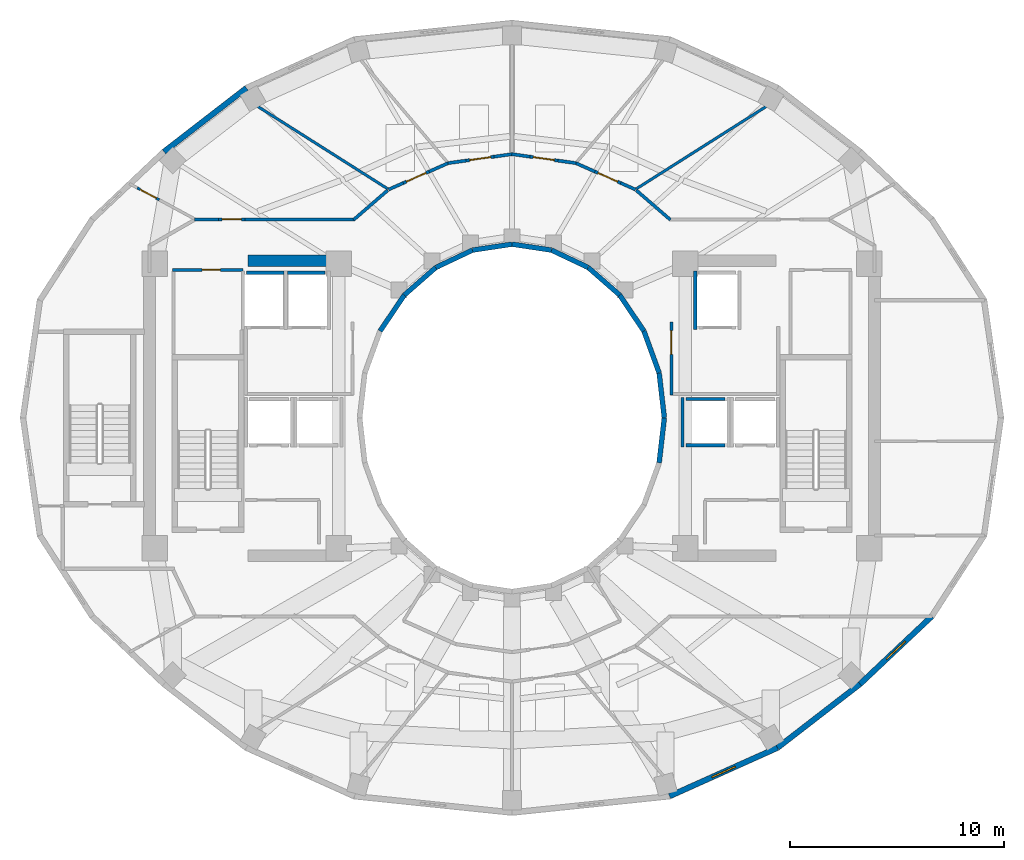
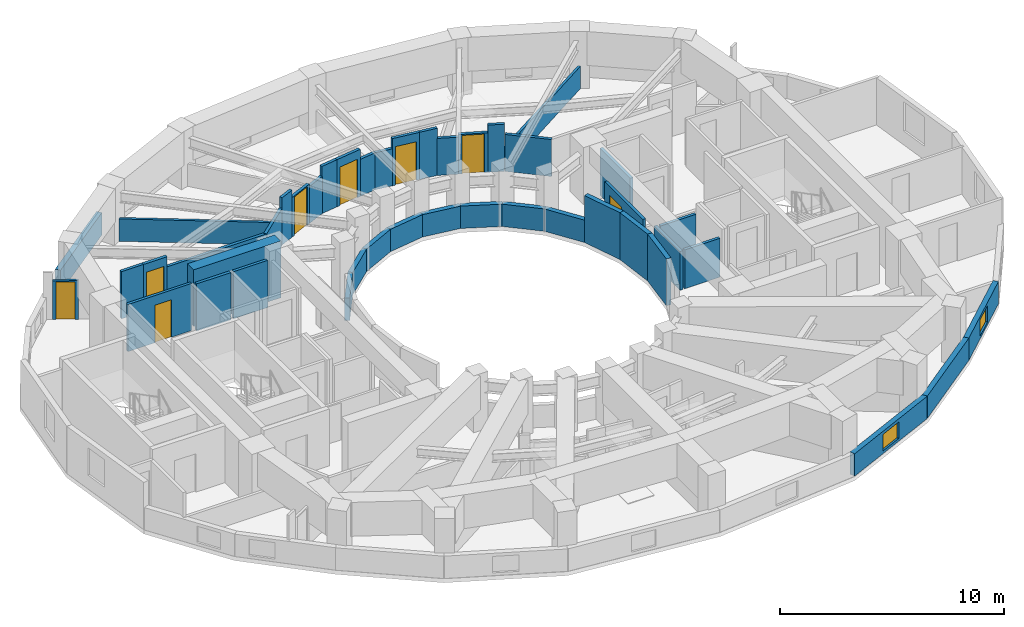
# One storey, part 5 of 9: 44 walls, 8 doors, 2 windows, 10 openings.
"""IFC4 building model written with IfcOpenShell, lengths in metres."""

from ifc_helpers import new_model, si_unit, direction, frame, frame_2d, origin, place, context, subcontext, project, spatial, rectangle, extrude, material, layer, layer_set, type_object, element, fill, save


model = new_model("IFC4")

# Units and contexts
model_context = context("Model", 3, precision=1e-05, world=origin(), true_north=direction((0.0, 1.0)))
body_context = subcontext(model_context, "Body", "Model", "MODEL_VIEW")
ifc_project = project(units=[si_unit("LENGTHUNIT", "METRE"), si_unit("AREAUNIT", "SQUARE_METRE"), si_unit("VOLUMEUNIT", "CUBIC_METRE"), si_unit("PLANEANGLEUNIT", "RADIAN"), si_unit("MASSUNIT", "GRAM", prefix="KILO")], contexts=[model_context])

# Site, building, storey
site_placement = place(None, origin())
site = spatial("IfcSite", under=ifc_project, at=site_placement, CompositionType="ELEMENT")
building_placement = place(site_placement, origin())
building = spatial("IfcBuilding", under=site, at=building_placement, Name="Solvane Sanctuary Tower", CompositionType="ELEMENT")
storey_placement = place(building_placement, frame((0.0, 0.0, 187.0)))
storey = spatial("IfcBuildingStorey", under=building, at=storey_placement, Name="L57", CompositionType="ELEMENT", Elevation=187.0)

# Wall
ifc_material_1 = material(Name="Concrete C50/60", Category="concrete")
ifc_layer_1 = layer(ifc_material_1, 0.550048828125, Name="Concrete C50/60")
ifc_layer_set_1 = layer_set([ifc_layer_1], Name="Concrete C50/60")
wall_type_1 = type_object("IfcWallType", Name="Wall W-CORE-550", PredefinedType="SHEAR", material=ifc_layer_set_1)
wall_1_placement = place(storey_placement, frame((19.64990234375, 30.35009765625, 0.0), z_axis=(0.0, 0.0, 1.0), x_axis=(1.0, 0.0, 0.0)))
element("IfcWall", 1, at=wall_1_placement, inside=storey, type_object=wall_type_1, Name="L57 Core Shear Wall WC-N", PredefinedType="SHEAR", context=body_context, shape_type="SweptSolid", body=[
    extrude(rectangle(XDim=4.5, YDim=0.550048828125, at=frame_2d((2.25, 0.0))), origin(), (0.0, 0.0, 1.0), 3.10009765625),
])

# Wall, opening, door
ifc_material_2 = material(Name="Acoustic Gypsum Partition Board")
ifc_layer_2 = layer(ifc_material_2, 0.14990234375, Name="Acoustic Gypsum Partition Board")
ifc_layer_set_2 = layer_set([ifc_layer_2], Name="Acoustic Gypsum Partition Board")
wall_type_2 = type_object("IfcWallType", Name="Wall W-CORR-150", PredefinedType="PARTITIONING", material=ifc_layer_set_2)
wall_2_placement = place(storey_placement, frame((39.449951171875, 24.080078125, 0.0), z_axis=(0.0, 0.0, 1.0), x_axis=(0.0, 1.0, 0.0)))
wall_2 = element("IfcWall", 2, at=wall_2_placement, inside=storey, type_object=wall_type_2, Name="L57 East Firefighting Lobby West Wall", PredefinedType="PARTITIONING", context=body_context, shape_type="SweptSolid", body=[
    extrude(rectangle(XDim=3.39990234375, YDim=0.14990234375, at=frame_2d((1.699951171875, 0.0))), origin(), (0.0, 0.0, 1.0), 2.574951171875),
])
opening_1_placement = place(wall_2_placement, frame((1.893798828125, 0.0, 0.0)))
opening_1 = element("IfcOpeningElement", 3, at=opening_1_placement, cuts=wall_2, Name="Opening D-L57-05", PredefinedType="OPENING", context=body_context, shape_type="SweptSolid", body=[
    extrude(rectangle(XDim=1.10009765625, YDim=2.10009765625, at=frame_2d((0.550048828125, 1.050048828125))), frame((0.0, 0.0849609375, 0.0), z_axis=(0.0, -1.0, 0.0), x_axis=(1.0, 0.0, 0.0)), (0.0, 0.0, 1.0), 0.169921875),
])
ifc_material_3 = material(Name="Architectural Stainless Steel 316", Category="steel")
door_type_1 = type_object("IfcDoorType", Name="Door D-FFL", OperationType="NOTDEFINED", PredefinedType="DOOR", material=ifc_material_3)
door_1_placement = place(opening_1_placement, origin())
door_1 = element("IfcDoor", 4, at=door_1_placement, inside=storey, type_object=door_type_1, Name="L57 East Firefighting Lobby Fire Door", OperationType="SINGLE_SWING_LEFT", OverallHeight=2.10009765625, OverallWidth=1.10009765625, PredefinedType="DOOR", context=body_context, shape_type="SweptSolid", body=[
    extrude(rectangle(XDim=1.10009765625, YDim=2.10009765625, at=frame_2d((0.550048828125, 1.050048828125))), frame((0.0, 0.02490234375, 0.0), z_axis=(0.0, -1.0, 0.0), x_axis=(1.0, 0.0, 0.0)), (0.0, 0.0, 1.0), 0.050048828125),
])
fill(opening_1, door_1)

# Walls
for number, where, z_axis, x_axis, name in (
    (5, (37.806640625, 33.64208984375, 0.0), (0.0, 0.0, 1.0), (0.756055312247, -0.654507727092, 0.0), "L57 NE Corner Throat Wall"),
    (6, (26.193359375, 33.64208984375, 0.0), (0.0, 0.0, 1.0), (-0.756055312247, -0.654507727092, 0.0), "L57 NW Corner Throat Wall"),
):
    element("IfcWall", number, at=place(storey_placement, frame(where, z_axis=z_axis, x_axis=x_axis)), inside=storey, type_object=wall_type_2, Name=name, PredefinedType="PARTITIONING", context=body_context, shape_type="SweptSolid", body=[
        extrude(rectangle(XDim=2.11083984375, YDim=0.14990234375, at=frame_2d((1.055419921875, 0.0))), origin(), (0.0, 0.0, 1.0), 2.01904296875),
    ])
wall_3_placement = place(storey_placement, frame((17.14990234375, 32.280029296875, 0.0), z_axis=(0.0, 0.0, 1.0), x_axis=(1.0, 0.0, 0.0)))
element("IfcWall", 7, at=wall_3_placement, inside=storey, type_object=wall_type_2, Name="L57 NW Corner Corridor Wall", PredefinedType="PARTITIONING", context=body_context, shape_type="SweptSolid", body=[
    extrude(rectangle(XDim=1.14013671875, YDim=0.14990234375, at=frame_2d((0.570068359375, 0.0))), origin(), (0.0, 0.0, 1.0), 2.574951171875),
])

# Wall, opening, door
wall_4_placement = place(storey_placement, frame((18.2900390625, 32.280029296875, 0.0), z_axis=(0.0, 0.0, 1.0), x_axis=(1.0, 0.0, 0.0)))
wall_4 = element("IfcWall", 8, at=wall_4_placement, inside=storey, type_object=wall_type_2, Name="L57 NW Corner Corridor Wall", PredefinedType="PARTITIONING", context=body_context, shape_type="SweptSolid", body=[
    extrude(rectangle(XDim=1.219970703125, YDim=0.14990234375, at=frame_2d((0.60986328125, 0.0))), origin(), (0.0, 0.0, 1.0), 2.574951171875),
])
opening_2_placement = place(wall_4_placement, frame((0.159912109375, 0.0, 0.0)))
opening_2 = element("IfcOpeningElement", 9, at=opening_2_placement, cuts=wall_4, Name="Opening D-L57-15", PredefinedType="OPENING", context=body_context, shape_type="SweptSolid", body=[
    extrude(rectangle(XDim=0.89990234375, YDim=2.10009765625, at=frame_2d((0.449951171875, 1.050048828125))), frame((0.0, 0.0849609375, 0.0), z_axis=(0.0, -1.0, 0.0), x_axis=(1.0, 0.0, 0.0)), (0.0, 0.0, 1.0), 0.169921875),
])
ifc_material_4 = material(Name="Engineered Tropical Hardwood", Category="wood")
door_type_2 = type_object("IfcDoorType", Name="Door D-WET-900", OperationType="NOTDEFINED", PredefinedType="DOOR", material=ifc_material_4)
door_2_placement = place(opening_2_placement, origin())
door_2 = element("IfcDoor", 10, at=door_2_placement, inside=storey, type_object=door_type_2, Name="L57 NW Corner Salon Door", OperationType="SINGLE_SWING_LEFT", OverallHeight=2.10009765625, OverallWidth=0.89990234375, PredefinedType="DOOR", context=body_context, shape_type="SweptSolid", body=[
    extrude(rectangle(XDim=0.89990234375, YDim=2.10009765625, at=frame_2d((0.449951171875, 1.050048828125))), frame((0.0, 0.02490234375, 0.0), z_axis=(0.0, -1.0, 0.0), x_axis=(1.0, 0.0, 0.0)), (0.0, 0.0, 1.0), 0.050048828125),
])
fill(opening_2, door_2)

# Walls
wall_5_placement = place(storey_placement, frame((19.510009765625, 32.280029296875, 0.0), z_axis=(0.0, 0.0, 1.0), x_axis=(1.0, 0.0, 0.0)))
element("IfcWall", 11, at=wall_5_placement, inside=storey, type_object=wall_type_2, Name="L57 NW Corner Corridor Wall", PredefinedType="PARTITIONING", context=body_context, shape_type="SweptSolid", body=[
    extrude(rectangle(XDim=5.159912109375, YDim=0.14990234375, at=frame_2d((2.580078125, 0.0))), origin(), (0.0, 0.0, 1.0), 2.01904296875),
])
wall_6_placement = place(storey_placement, frame((37.77197265625, 33.673828125, 0.0), z_axis=(0.0, 0.0, 1.0), x_axis=(-0.914277556503, 0.405088323302, 0.0)))
element("IfcWall", 12, at=wall_6_placement, inside=storey, type_object=wall_type_2, Name="L57 Unit Corridor Wall N1", PredefinedType="PARTITIONING", context=body_context, shape_type="SweptSolid", body=[
    extrude(rectangle(XDim=0.755126953125, YDim=0.14990234375, at=frame_2d((0.37744140625, 0.0))), origin(), (0.0, 0.0, 1.0), 2.574951171875),
])

# Wall, opening, door
wall_7_placement = place(storey_placement, frame((37.08154296875, 33.979736328125, 0.0), z_axis=(0.0, 0.0, 1.0), x_axis=(-0.914382646268, 0.404851054345, 0.0)))
wall_7 = element("IfcWall", 13, at=wall_7_placement, inside=storey, type_object=wall_type_2, Name="L57 Unit Corridor Wall N1", PredefinedType="PARTITIONING", context=body_context, shape_type="SweptSolid", body=[
    extrude(rectangle(XDim=1.320068359375, YDim=0.14990234375, at=frame_2d((0.66015625, 0.0))), origin(), (0.0, 0.0, 1.0), 2.159912109375),
])
opening_3_placement = place(wall_7_placement, frame((0.159912109375, 0.0, 0.0)))
opening_3 = element("IfcOpeningElement", 14, at=opening_3_placement, cuts=wall_7, Name="Opening D-L57-21", PredefinedType="OPENING", context=body_context, shape_type="SweptSolid", body=[
    extrude(rectangle(XDim=1.0, YDim=2.10009765625, at=frame_2d((0.5, 1.050048828125))), frame((0.0, 0.0849609375, 0.0), z_axis=(0.0, -1.0, 0.0), x_axis=(1.0, 0.0, 0.0)), (0.0, 0.0, 1.0), 0.169921875),
])
door_type_3 = type_object("IfcDoorType", Name="Door D-UNIT", OperationType="NOTDEFINED", PredefinedType="DOOR", material=ifc_material_4)
door_3_placement = place(opening_3_placement, origin())
door_3 = element("IfcDoor", 15, at=door_3_placement, inside=storey, type_object=door_type_3, Name="L57 Unit Entrance Door N1", OperationType="SINGLE_SWING_LEFT", OverallHeight=2.10009765625, OverallWidth=1.0, PredefinedType="DOOR", context=body_context, shape_type="SweptSolid", body=[
    extrude(rectangle(XDim=1.0, YDim=2.10009765625, at=frame_2d((0.5, 1.050048828125))), frame((0.0, 0.02490234375, 0.0), z_axis=(0.0, -1.0, 0.0), x_axis=(1.0, 0.0, 0.0)), (0.0, 0.0, 1.0), 0.050048828125),
])
fill(opening_3, door_3)

# Walls
wall_8_placement = place(storey_placement, frame((35.87451171875, 34.51416015625, 0.0), z_axis=(0.0, 0.0, 1.0), x_axis=(-0.914282340715, 0.405077525242, 0.0)))
element("IfcWall", 16, at=wall_8_placement, inside=storey, type_object=wall_type_2, Name="L57 Unit Corridor Wall N1", PredefinedType="PARTITIONING", context=body_context, shape_type="SweptSolid", body=[
    extrude(rectangle(XDim=0.982421875, YDim=0.14990234375, at=frame_2d((0.4912109375, 0.0))), origin(), (0.0, 0.0, 1.0), 2.01904296875),
])
wall_9_placement = place(storey_placement, frame((34.991943359375, 34.90771484375, 0.0), z_axis=(0.0, 0.0, 1.0), x_axis=(-0.990238723834, 0.139381741342, 0.0)))
element("IfcWall", 17, at=wall_9_placement, inside=storey, type_object=wall_type_2, Name="L57 Unit Corridor Wall N2", PredefinedType="PARTITIONING", context=body_context, shape_type="SweptSolid", body=[
    extrude(rectangle(XDim=0.854736328125, YDim=0.14990234375, at=frame_2d((0.42724609375, 0.0))), origin(), (0.0, 0.0, 1.0), 2.574951171875),
])

# Wall, opening, door
wall_10_placement = place(storey_placement, frame((34.1455078125, 35.02685546875, 0.0), z_axis=(0.0, 0.0, 1.0), x_axis=(-0.990254187593, 0.139271834751, 0.0)))
wall_10 = element("IfcWall", 18, at=wall_10_placement, inside=storey, type_object=wall_type_2, Name="L57 Unit Corridor Wall N2", PredefinedType="PARTITIONING", context=body_context, shape_type="SweptSolid", body=[
    extrude(rectangle(XDim=1.320068359375, YDim=0.14990234375, at=frame_2d((0.66015625, 0.0))), origin(), (0.0, 0.0, 1.0), 2.574951171875),
])
opening_4_placement = place(wall_10_placement, frame((0.159912109375, 0.0, 0.0)))
opening_4 = element("IfcOpeningElement", 19, at=opening_4_placement, cuts=wall_10, Name="Opening D-L57-22", PredefinedType="OPENING", context=body_context, shape_type="SweptSolid", body=[
    extrude(rectangle(XDim=1.0, YDim=2.10009765625, at=frame_2d((0.5, 1.050048828125))), frame((0.0, 0.0849609375, 0.0), z_axis=(0.0, -1.0, 0.0), x_axis=(1.0, 0.0, 0.0)), (0.0, 0.0, 1.0), 0.169921875),
])
door_4_placement = place(opening_4_placement, origin())
door_4 = element("IfcDoor", 20, at=door_4_placement, inside=storey, type_object=door_type_3, Name="L57 Unit Entrance Door N2", OperationType="SINGLE_SWING_RIGHT", OverallHeight=2.10009765625, OverallWidth=1.0, PredefinedType="DOOR", context=body_context, shape_type="SweptSolid", body=[
    extrude(rectangle(XDim=1.0, YDim=2.10009765625, at=frame_2d((0.5, 1.050048828125))), frame((0.0, 0.02490234375, 0.0), z_axis=(0.0, -1.0, 0.0), x_axis=(1.0, 0.0, 0.0)), (0.0, 0.0, 1.0), 0.050048828125),
])
fill(opening_4, door_4)

# Walls
for number, where, z_axis, x_axis, name in (
    (21, (32.83837890625, 35.210693359375, 0.0), (0.0, 0.0, 1.0), (-0.990199264419, 0.139661794145, 0.0), "L57 Unit Corridor Wall N2"),
    (22, (32.008056640625, 35.330078125, 0.0), (0.0, 0.0, 1.0), (-0.990199264419, -0.139661794145, 0.0), "L57 Unit Corridor Wall N3"),
):
    element("IfcWall", number, at=place(storey_placement, frame(where, z_axis=z_axis, x_axis=x_axis)), inside=storey, type_object=wall_type_2, Name=name, PredefinedType="PARTITIONING", context=body_context, shape_type="SweptSolid", body=[
        extrude(rectangle(XDim=0.854736328125, YDim=0.14990234375, at=frame_2d((0.42724609375, 0.0))), origin(), (0.0, 0.0, 1.0), 2.01904296875),
    ])

# Wall, opening, door
wall_11_placement = place(storey_placement, frame((31.16162109375, 35.210693359375, 0.0), z_axis=(0.0, 0.0, 1.0), x_axis=(-0.990254187593, -0.139271834751, 0.0)))
wall_11 = element("IfcWall", 23, at=wall_11_placement, inside=storey, type_object=wall_type_2, Name="L57 Unit Corridor Wall N3", PredefinedType="PARTITIONING", context=body_context, shape_type="SweptSolid", body=[
    extrude(rectangle(XDim=1.320068359375, YDim=0.14990234375, at=frame_2d((0.66015625, 0.0))), origin(), (0.0, 0.0, 1.0), 2.574951171875),
])
opening_5_placement = place(wall_11_placement, frame((0.159912109375, 0.0, 0.0)))
opening_5 = element("IfcOpeningElement", 24, at=opening_5_placement, cuts=wall_11, Name="Opening D-L57-23", PredefinedType="OPENING", context=body_context, shape_type="SweptSolid", body=[
    extrude(rectangle(XDim=1.0, YDim=2.10009765625, at=frame_2d((0.5, 1.050048828125))), frame((0.0, 0.0849609375, 0.0), z_axis=(0.0, -1.0, 0.0), x_axis=(1.0, 0.0, 0.0)), (0.0, 0.0, 1.0), 0.169921875),
])
door_5_placement = place(opening_5_placement, origin())
door_5 = element("IfcDoor", 25, at=door_5_placement, inside=storey, type_object=door_type_3, Name="L57 Unit Entrance Door N3", OperationType="SINGLE_SWING_LEFT", OverallHeight=2.10009765625, OverallWidth=1.0, PredefinedType="DOOR", context=body_context, shape_type="SweptSolid", body=[
    extrude(rectangle(XDim=1.0, YDim=2.10009765625, at=frame_2d((0.5, 1.050048828125))), frame((0.0, 0.02490234375, 0.0), z_axis=(0.0, -1.0, 0.0), x_axis=(1.0, 0.0, 0.0)), (0.0, 0.0, 1.0), 0.050048828125),
])
fill(opening_5, door_5)

# Walls
wall_12_placement = place(storey_placement, frame((29.8544921875, 35.02685546875, 0.0), z_axis=(0.0, 0.0, 1.0), x_axis=(-0.990238723834, -0.139381741342, 0.0)))
element("IfcWall", 26, at=wall_12_placement, inside=storey, type_object=wall_type_2, Name="L57 Unit Corridor Wall N3", PredefinedType="PARTITIONING", context=body_context, shape_type="SweptSolid", body=[
    extrude(rectangle(XDim=0.854736328125, YDim=0.14990234375, at=frame_2d((0.42724609375, 0.0))), origin(), (0.0, 0.0, 1.0), 2.574951171875),
])
wall_13_placement = place(storey_placement, frame((29.023681640625, 34.912109375, 0.0), z_axis=(0.0, 0.0, 1.0), x_axis=(-0.914282340715, -0.405077525242, 0.0)))
element("IfcWall", 27, at=wall_13_placement, inside=storey, type_object=wall_type_2, Name="L57 Unit Corridor Wall N4", PredefinedType="PARTITIONING", context=body_context, shape_type="SweptSolid", body=[
    extrude(rectangle(XDim=0.982421875, YDim=0.14990234375, at=frame_2d((0.4912109375, 0.0))), origin(), (0.0, 0.0, 1.0), 2.01904296875),
])

# Wall, opening, door
wall_14_placement = place(storey_placement, frame((28.12548828125, 34.51416015625, 0.0), z_axis=(0.0, 0.0, 1.0), x_axis=(-0.914314172667, -0.405005671145, 0.0)))
wall_14 = element("IfcWall", 28, at=wall_14_placement, inside=storey, type_object=wall_type_2, Name="L57 Unit Corridor Wall N4", PredefinedType="PARTITIONING", context=body_context, shape_type="SweptSolid", body=[
    extrude(rectangle(XDim=1.320068359375, YDim=0.14990234375, at=frame_2d((0.66015625, 0.0))), origin(), (0.0, 0.0, 1.0), 2.159912109375),
])
opening_6_placement = place(wall_14_placement, frame((0.159912109375, 0.0, 0.0)))
opening_6 = element("IfcOpeningElement", 29, at=opening_6_placement, cuts=wall_14, Name="Opening D-L57-24", PredefinedType="OPENING", context=body_context, shape_type="SweptSolid", body=[
    extrude(rectangle(XDim=1.0, YDim=2.10009765625, at=frame_2d((0.5, 1.050048828125))), frame((0.0, 0.0849609375, 0.0), z_axis=(0.0, -1.0, 0.0), x_axis=(1.0, 0.0, 0.0)), (0.0, 0.0, 1.0), 0.169921875),
])
door_6_placement = place(opening_6_placement, origin())
door_6 = element("IfcDoor", 30, at=door_6_placement, inside=storey, type_object=door_type_3, Name="L57 Unit Entrance Door N4", OperationType="SINGLE_SWING_RIGHT", OverallHeight=2.10009765625, OverallWidth=1.0, PredefinedType="DOOR", context=body_context, shape_type="SweptSolid", body=[
    extrude(rectangle(XDim=1.0, YDim=2.10009765625, at=frame_2d((0.5, 1.050048828125))), frame((0.0, 0.02490234375, 0.0), z_axis=(0.0, -1.0, 0.0), x_axis=(1.0, 0.0, 0.0)), (0.0, 0.0, 1.0), 0.050048828125),
])
fill(opening_6, door_6)

# Walls
wall_15_placement = place(storey_placement, frame((26.91845703125, 33.9794921875, 0.0), z_axis=(0.0, 0.0, 1.0), x_axis=(-0.914397268697, -0.404818027019, 0.0)))
element("IfcWall", 31, at=wall_15_placement, inside=storey, type_object=wall_type_2, Name="L57 Unit Corridor Wall N4", PredefinedType="PARTITIONING", context=body_context, shape_type="SweptSolid", body=[
    extrude(rectangle(XDim=0.755126953125, YDim=0.14990234375, at=frame_2d((0.37744140625, 0.0))), origin(), (0.0, 0.0, 1.0), 2.574951171875),
])
ifc_material_5 = material(Name="Precast concrete C40/50", Category="concrete")
ifc_layer_3 = layer(ifc_material_5, 0.260009765625, Name="Precast concrete C40/50")
ifc_layer_set_3 = layer_set([ifc_layer_3], Name="Precast concrete C40/50")
wall_type_3 = type_object("IfcWallType", Name="Wall W-EXT-250", PredefinedType="STANDARD", material=ifc_layer_set_3)
wall_16_placement = place(storey_placement, frame((19.5869140625, 38.41943359375, 0.0), z_axis=(0.0, 0.0, 1.0), x_axis=(-0.791460185804, -0.611220724687, 0.0)))
element("IfcWall", 32, at=wall_16_placement, inside=storey, type_object=wall_type_3, Name="L57 Ceramic-Printed Facade Wall 08", PredefinedType="STANDARD", context=body_context, shape_type="SweptSolid", body=[
    extrude(rectangle(XDim=4.872314453125, YDim=0.260009765625, at=frame_2d((2.43603515625, 0.0))), origin(), (0.0, 0.0, 1.0), 1.219970703125),
])

# Wall, opening, window
wall_17_placement = place(storey_placement, frame((39.365234375, 5.3154296875, 0.0), z_axis=(0.0, 0.0, 1.0), x_axis=(0.912353637112, 0.409403029847, 0.0)))
wall_17 = element("IfcWall", 33, at=wall_17_placement, inside=storey, type_object=wall_type_3, Name="L57 Ceramic-Printed Facade Wall 19", PredefinedType="STANDARD", context=body_context, shape_type="SweptSolid", body=[
    extrude(rectangle(XDim=5.53271484375, YDim=0.260009765625, at=frame_2d((2.766357421875, 0.0))), origin(), (0.0, 0.0, 1.0), 1.219970703125),
])
opening_7_placement = place(wall_17_placement, frame((2.16650390625, 0.0, 0.14990234375)))
opening_7 = element("IfcOpeningElement", 34, at=opening_7_placement, cuts=wall_17, Name="Opening WN-OPER-1200", PredefinedType="OPENING", context=body_context, shape_type="SweptSolid", body=[
    extrude(rectangle(XDim=1.199951171875, YDim=0.89990234375, at=frame_2d((0.60009765625, 0.449951171875))), frame((0.0, 0.139892578125, 0.0), z_axis=(0.0, -1.0, 0.0), x_axis=(1.0, 0.0, 0.0)), (0.0, 0.0, 1.0), 0.280029296875),
])
ifc_material_6 = material(Name="Dark Ceramic-Fritted Low-E Glass", Category="glass")
window_type = type_object("IfcWindowType", Name="Window WN-OPER-1200", PartitioningType="SINGLE_PANEL", PredefinedType="WINDOW", material=ifc_material_6)
window_1_placement = place(opening_7_placement, origin())
window_1 = element("IfcWindow", 35, at=window_1_placement, inside=storey, type_object=window_type, Name="L57 Operable Facade Window 19", OverallHeight=0.89990234375, OverallWidth=1.199951171875, PartitioningType="SINGLE_PANEL", PredefinedType="WINDOW", context=body_context, shape_type="SweptSolid", body=[
    extrude(rectangle(XDim=1.199951171875, YDim=0.89990234375, at=frame_2d((0.60009765625, 0.449951171875))), frame((0.0, 0.030029296875, 0.0), z_axis=(0.0, -1.0, 0.0), x_axis=(1.0, 0.0, 0.0)), (0.0, 0.0, 1.0), 0.06005859375),
])
fill(opening_7, window_1)

# Wall
wall_18_placement = place(storey_placement, frame((44.4130859375, 7.58056640625, 0.0), z_axis=(0.0, 0.0, 1.0), x_axis=(0.791460185804, 0.611220724687, 0.0)))
element("IfcWall", 36, at=wall_18_placement, inside=storey, type_object=wall_type_3, Name="L57 Ceramic-Printed Facade Wall 20", PredefinedType="STANDARD", context=body_context, shape_type="SweptSolid", body=[
    extrude(rectangle(XDim=4.872314453125, YDim=0.260009765625, at=frame_2d((2.43603515625, 0.0))), origin(), (0.0, 0.0, 1.0), 1.219970703125),
])

# Wall, opening, window
wall_19_placement = place(storey_placement, frame((48.269287109375, 10.55859375, 0.0), z_axis=(0.0, 0.0, 1.0), x_axis=(0.727667301037, 0.68593024354, 0.0)))
wall_19 = element("IfcWall", 37, at=wall_19_placement, inside=storey, type_object=wall_type_3, Name="L57 Ceramic-Printed Facade Wall 21", PredefinedType="STANDARD", context=body_context, shape_type="SweptSolid", body=[
    extrude(rectangle(XDim=4.603515625, YDim=0.260009765625, at=frame_2d((2.3017578125, 0.0))), origin(), (0.0, 0.0, 1.0), 1.219970703125),
])
opening_8_placement = place(wall_19_placement, frame((1.70166015625, 0.0, 0.14990234375)))
opening_8 = element("IfcOpeningElement", 38, at=opening_8_placement, cuts=wall_19, Name="Opening WN-OPER-1200", PredefinedType="OPENING", context=body_context, shape_type="SweptSolid", body=[
    extrude(rectangle(XDim=1.199951171875, YDim=0.89990234375, at=frame_2d((0.60009765625, 0.449951171875))), frame((0.0, 0.139892578125, 0.0), z_axis=(0.0, -1.0, 0.0), x_axis=(1.0, 0.0, 0.0)), (0.0, 0.0, 1.0), 0.280029296875),
])
window_2_placement = place(opening_8_placement, origin())
window_2 = element("IfcWindow", 39, at=window_2_placement, inside=storey, type_object=window_type, Name="L57 Operable Facade Window 21", OverallHeight=0.89990234375, OverallWidth=1.199951171875, PartitioningType="SINGLE_PANEL", PredefinedType="WINDOW", context=body_context, shape_type="SweptSolid", body=[
    extrude(rectangle(XDim=1.199951171875, YDim=0.89990234375, at=frame_2d((0.60009765625, 0.449951171875))), frame((0.0, 0.030029296875, 0.0), z_axis=(0.0, -1.0, 0.0), x_axis=(1.0, 0.0, 0.0)), (0.0, 0.0, 1.0), 0.06005859375),
])
fill(opening_8, window_2)

# Walls
ifc_layer_4 = layer(ifc_material_5, 0.22998046875, Name="Precast concrete C40/50")
ifc_layer_set_4 = layer_set([ifc_layer_4], Name="Precast concrete C40/50")
wall_type_4 = type_object("IfcWallType", Name="Wall W-EXT-SP220", PredefinedType="STANDARD", material=ifc_layer_set_4)
wall_20_placement = place(storey_placement, frame((39.1201171875, 23.0, 0.0), z_axis=(0.0, 0.0, 1.0), x_axis=(-0.114711713601, 0.993398823617, 0.0)))
element("IfcWall", 40, at=wall_20_placement, inside=storey, type_object=wall_type_4, Name="L57 Central Light-Well Wall 00", PredefinedType="STANDARD", context=body_context, shape_type="SweptSolid", body=[
    extrude(rectangle(XDim=2.115478515625, YDim=0.22998046875, at=frame_2d((1.0576171875, 0.0))), origin(), (0.0, 0.0, 1.0), 2.56005859375),
])
wall_21_placement = place(storey_placement, frame((38.87744140625, 25.1015625, 0.0), z_axis=(0.0, 0.0, 1.0), x_axis=(-0.341423187295, 0.93990968033, 0.0)))
element("IfcWall", 41, at=wall_21_placement, inside=storey, type_object=wall_type_4, Name="L57 Central Light-Well Wall 01", PredefinedType="STANDARD", context=body_context, shape_type="SweptSolid", body=[
    extrude(rectangle(XDim=2.083740234375, YDim=0.22998046875, at=frame_2d((1.0419921875, 0.0))), origin(), (0.0, 0.0, 1.0), 2.56005859375),
])
wall_22_placement = place(storey_placement, frame((38.166015625, 27.06005859375, 0.0), z_axis=(0.0, 0.0, 1.0), x_axis=(-0.558197800898, 0.829707909492, 0.0)))
element("IfcWall", 42, at=wall_22_placement, inside=storey, type_object=wall_type_4, Name="L57 Central Light-Well Wall 02", PredefinedType="STANDARD", context=body_context, shape_type="SweptSolid", body=[
    extrude(rectangle(XDim=2.02685546875, YDim=0.22998046875, at=frame_2d((1.013427734375, 0.0))), origin(), (0.0, 0.0, 1.0), 1.219970703125),
])
wall_23_placement = place(storey_placement, frame((37.03466796875, 28.74169921875, 0.0), z_axis=(0.0, 0.0, 1.0), x_axis=(-0.752576694707, 0.658504607869, 0.0)))
element("IfcWall", 43, at=wall_23_placement, inside=storey, type_object=wall_type_4, Name="L57 Central Light-Well Wall 03", PredefinedType="STANDARD", context=body_context, shape_type="SweptSolid", body=[
    extrude(rectangle(XDim=1.95947265625, YDim=0.22998046875, at=frame_2d((0.979736328125, 0.0))), origin(), (0.0, 0.0, 1.0), 1.219970703125),
])
wall_24_placement = place(storey_placement, frame((35.56005859375, 30.031982421875, 0.0), z_axis=(0.0, 0.0, 1.0), x_axis=(-0.904179699603, 0.427152280606, 0.0)))
element("IfcWall", 44, at=wall_24_placement, inside=storey, type_object=wall_type_4, Name="L57 Central Light-Well Wall 04", PredefinedType="STANDARD", context=body_context, shape_type="SweptSolid", body=[
    extrude(rectangle(XDim=1.899169921875, YDim=0.22998046875, at=frame_2d((0.94970703125, 0.0))), origin(), (0.0, 0.0, 1.0), 1.219970703125),
])
for number, where, z_axis, x_axis, name in (
    (45, (33.8427734375, 30.84326171875, 0.0), (0.0, 0.0, 1.0), (-0.988901730308, 0.148571086668, 0.0), "L57 Central Light-Well Wall 05"),
    (46, (32.0, 31.1201171875, 0.0), (0.0, 0.0, 1.0), (-0.988901730308, -0.148571086668, 0.0), "L57 Central Light-Well Wall 06"),
):
    element("IfcWall", number, at=place(storey_placement, frame(where, z_axis=z_axis, x_axis=x_axis)), inside=storey, type_object=wall_type_4, Name=name, PredefinedType="STANDARD", context=body_context, shape_type="SweptSolid", body=[
        extrude(rectangle(XDim=1.863525390625, YDim=0.22998046875, at=frame_2d((0.931640625, 0.0))), origin(), (0.0, 0.0, 1.0), 1.219970703125),
    ])
wall_25_placement = place(storey_placement, frame((30.1572265625, 30.84326171875, 0.0), z_axis=(0.0, 0.0, 1.0), x_axis=(-0.904179699603, -0.427152280606, 0.0)))
element("IfcWall", 47, at=wall_25_placement, inside=storey, type_object=wall_type_4, Name="L57 Central Light-Well Wall 07", PredefinedType="STANDARD", context=body_context, shape_type="SweptSolid", body=[
    extrude(rectangle(XDim=1.899169921875, YDim=0.22998046875, at=frame_2d((0.94970703125, 0.0))), origin(), (0.0, 0.0, 1.0), 1.219970703125),
])
wall_26_placement = place(storey_placement, frame((28.43994140625, 30.031982421875, 0.0), z_axis=(0.0, 0.0, 1.0), x_axis=(-0.752576694707, -0.658504607869, 0.0)))
element("IfcWall", 48, at=wall_26_placement, inside=storey, type_object=wall_type_4, Name="L57 Central Light-Well Wall 08", PredefinedType="STANDARD", context=body_context, shape_type="SweptSolid", body=[
    extrude(rectangle(XDim=1.95947265625, YDim=0.22998046875, at=frame_2d((0.979736328125, 0.0))), origin(), (0.0, 0.0, 1.0), 1.219970703125),
])
wall_27_placement = place(storey_placement, frame((26.96533203125, 28.74169921875, 0.0), z_axis=(0.0, 0.0, 1.0), x_axis=(-0.558197800898, -0.829707909492, 0.0)))
element("IfcWall", 49, at=wall_27_placement, inside=storey, type_object=wall_type_4, Name="L57 Central Light-Well Wall 09", PredefinedType="STANDARD", context=body_context, shape_type="SweptSolid", body=[
    extrude(rectangle(XDim=2.02685546875, YDim=0.22998046875, at=frame_2d((1.013427734375, 0.0))), origin(), (0.0, 0.0, 1.0), 1.219970703125),
])
wall_28_placement = place(storey_placement, frame((38.87744140625, 20.8984375, 0.0), z_axis=(0.0, 0.0, 1.0), x_axis=(0.114711713601, 0.993398823617, 0.0)))
element("IfcWall", 50, at=wall_28_placement, inside=storey, type_object=wall_type_4, Name="L57 Central Light-Well Wall 23", PredefinedType="STANDARD", context=body_context, shape_type="SweptSolid", body=[
    extrude(rectangle(XDim=2.115478515625, YDim=0.22998046875, at=frame_2d((1.0576171875, 0.0))), origin(), (0.0, 0.0, 1.0), 2.56005859375),
])

# Wall, opening, door
ifc_layer_5 = layer(ifc_material_2, 0.1201171875, Name="Acoustic Gypsum Partition Board")
ifc_layer_set_5 = layer_set([ifc_layer_5], Name="Acoustic Gypsum Partition Board")
wall_type_5 = type_object("IfcWallType", Name="Wall W-MOV-100", PredefinedType="MOVABLE", material=ifc_layer_set_5)
wall_29_placement = place(storey_placement, frame((15.51123046875, 33.194091796875, 0.0), z_axis=(0.0, 0.0, 1.0), x_axis=(-0.879342939039, 0.476189033433, 0.0)))
wall_29 = element("IfcWall", 51, at=wall_29_placement, inside=storey, type_object=wall_type_5, Name="L57 NW Corner Suite Partition", PredefinedType="MOVABLE", context=body_context, shape_type="SweptSolid", body=[
    extrude(rectangle(XDim=1.169921875, YDim=0.1201171875, at=frame_2d((0.5849609375, 0.0))), origin(), (0.0, 0.0, 1.0), 2.110107421875),
])
opening_9_placement = place(wall_29_placement, frame((0.159912109375, 0.0, 0.0)))
opening_9 = element("IfcOpeningElement", 52, at=opening_9_placement, cuts=wall_29, Name="Opening D-L57-14", PredefinedType="OPENING", context=body_context, shape_type="SweptSolid", body=[
    extrude(rectangle(XDim=0.85009765625, YDim=2.050048828125, at=frame_2d((0.425048828125, 1.02490234375))), frame((0.0, 0.070068359375, 0.0), z_axis=(0.0, -1.0, 0.0), x_axis=(1.0, 0.0, 0.0)), (0.0, 0.0, 1.0), 0.14013671875),
])
door_type_4 = type_object("IfcDoorType", Name="Door D-RISER", OperationType="NOTDEFINED", PredefinedType="DOOR", material=ifc_material_3)
door_7_placement = place(opening_9_placement, origin())
door_7 = element("IfcDoor", 53, at=door_7_placement, inside=storey, type_object=door_type_4, Name="L57 NW Corner Suite Door", OperationType="SINGLE_SWING_RIGHT", OverallHeight=2.050048828125, OverallWidth=0.85009765625, PredefinedType="DOOR", context=body_context, shape_type="SweptSolid", body=[
    extrude(rectangle(XDim=0.85009765625, YDim=2.050048828125, at=frame_2d((0.425048828125, 1.02490234375))), frame((0.0, 0.02490234375, 0.0), z_axis=(0.0, -1.0, 0.0), x_axis=(1.0, 0.0, 0.0)), (0.0, 0.0, 1.0), 0.050048828125),
])
fill(opening_9, door_7)

# Walls
ifc_layer_6 = layer(ifc_material_2, 0.125, Name="Acoustic Gypsum Partition Board")
ifc_layer_set_6 = layer_set([ifc_layer_6], Name="Acoustic Gypsum Partition Board")
wall_type_6 = type_object("IfcWallType", Name="Wall W-PART-125", PredefinedType="PARTITIONING", material=ifc_layer_set_6)
for number, where, z_axis, x_axis, name in (
    (54, (37.8115234375, 33.70751953125, 0.0), (0.0, 0.0, 1.0), (0.844640430122, 0.535334048799, 0.0), "L57 Radial Compartment Wall 060"),
    (55, (26.1884765625, 33.70751953125, 0.0), (0.0, 0.0, 1.0), (-0.844640430122, 0.535334048799, 0.0), "L57 Radial Compartment Wall 120"),
):
    element("IfcWall", number, at=place(storey_placement, frame(where, z_axis=z_axis, x_axis=x_axis)), inside=storey, type_object=wall_type_6, Name=name, PredefinedType="PARTITIONING", context=body_context, shape_type="SweptSolid", body=[
        extrude(rectangle(XDim=7.188232421875, YDim=0.125, at=frame_2d((3.59423828125, 0.0))), origin(), (0.0, 0.0, 1.0), 1.219970703125),
    ])
ifc_layer_7 = layer(ifc_material_1, 0.14990234375, Name="Concrete C50/60")
ifc_layer_set_7 = layer_set([ifc_layer_7], Name="Concrete C50/60")
wall_type_7 = type_object("IfcWallType", Name="Wall W-SHAFT-150", PredefinedType="SOLIDWALL", material=ifc_layer_set_7)
for number, where, z_axis, x_axis, name in (
    (56, (40.139892578125, 21.719970703125, 0.0), (0.0, 0.0, 1.0), (1.0, 0.0, 0.0), "L57 PH-2 Lift Shaft Wall F"),
    (57, (40.139892578125, 23.8798828125, 0.0), (0.0, 0.0, 1.0), (1.0, 0.0, 0.0), "L57 PH-2 Lift Shaft Wall B"),
):
    element("IfcWall", number, at=place(storey_placement, frame(where, z_axis=z_axis, x_axis=x_axis)), inside=storey, type_object=wall_type_7, Name=name, PredefinedType="SOLIDWALL", context=body_context, shape_type="SweptSolid", body=[
        extrude(rectangle(XDim=1.820068359375, YDim=0.14990234375, at=frame_2d((0.91015625, 0.0))), origin(), (0.0, 0.0, 1.0), 2.1201171875),
    ])
wall_30_placement = place(storey_placement, frame((39.969970703125, 21.639892578125, 0.0), z_axis=(0.0, 0.0, 1.0), x_axis=(0.0, 1.0, 0.0)))
element("IfcWall", 58, at=wall_30_placement, inside=storey, type_object=wall_type_7, Name="L57 PH-2 Lift Shaft Wall S1", PredefinedType="SOLIDWALL", context=body_context, shape_type="SweptSolid", body=[
    extrude(rectangle(XDim=2.320068359375, YDim=0.14990234375, at=frame_2d((1.16015625, 0.0))), origin(), (0.0, 0.0, 1.0), 2.1201171875),
])
for number, where, z_axis, x_axis, name in (
    (59, (19.590087890625, 29.780029296875, 0.0), (0.0, 0.0, 1.0), (1.0, 0.0, 0.0), "L57 FFL-1 Lift Shaft Wall B"),
    (60, (21.5, 29.780029296875, 0.0), (0.0, 0.0, 1.0), (1.0, 0.0, 0.0), "L57 SVL-1 Lift Shaft Wall B"),
):
    element("IfcWall", number, at=place(storey_placement, frame(where, z_axis=z_axis, x_axis=x_axis)), inside=storey, type_object=wall_type_7, Name=name, PredefinedType="SOLIDWALL", context=body_context, shape_type="SweptSolid", body=[
        extrude(rectangle(XDim=1.760009765625, YDim=0.14990234375, at=frame_2d((0.8798828125, 0.0))), origin(), (0.0, 0.0, 1.0), 2.574951171875),
    ])
wall_31_placement = place(storey_placement, frame((40.570068359375, 27.139892578125, 0.0), z_axis=(0.0, 0.0, 1.0), x_axis=(0.0, 1.0, 0.0)))
element("IfcWall", 61, at=wall_31_placement, inside=storey, type_object=wall_type_7, Name="L57 FFL-2 Lift Shaft Wall S1", PredefinedType="SOLIDWALL", context=body_context, shape_type="SweptSolid", body=[
    extrude(rectangle(XDim=2.72021484375, YDim=0.14990234375, at=frame_2d((1.360107421875, 0.0))), origin(), (0.0, 0.0, 1.0), 2.574951171875),
])

# Wall, opening, door
ifc_layer_8 = layer(ifc_material_2, 0.139892578125, Name="Acoustic Gypsum Partition Board")
ifc_layer_set_8 = layer_set([ifc_layer_8], Name="Acoustic Gypsum Partition Board")
wall_type_8 = type_object("IfcWallType", Name="Wall W-WET-140", PredefinedType="PLUMBINGWALL", material=ifc_layer_set_8)
wall_32_placement = place(storey_placement, frame((16.1201171875, 29.919921875, 0.0), z_axis=(0.0, 0.0, 1.0), x_axis=(1.0, 0.0, 0.0)))
wall_32 = element("IfcWall", 62, at=wall_32_placement, inside=storey, type_object=wall_type_8, Name="L57 Core Service Front Wall KW0", PredefinedType="PLUMBINGWALL", context=body_context, shape_type="SweptSolid", body=[
    extrude(rectangle(XDim=3.2998046875, YDim=0.139892578125, at=frame_2d((1.64990234375, 0.0))), origin(), (0.0, 0.0, 1.0), 2.574951171875),
])
opening_10_placement = place(wall_32_placement, frame((1.3994140625, 0.0, 0.0)))
opening_10 = element("IfcOpeningElement", 63, at=opening_10_placement, cuts=wall_32, Name="Opening D-L57-08", PredefinedType="OPENING", context=body_context, shape_type="SweptSolid", body=[
    extrude(rectangle(XDim=0.85009765625, YDim=2.050048828125, at=frame_2d((0.425048828125, 1.02490234375))), frame((0.0, 0.079833984375, 0.0), z_axis=(0.0, -1.0, 0.0), x_axis=(1.0, 0.0, 0.0)), (0.0, 0.0, 1.0), 0.159912109375),
])
door_8_placement = place(opening_10_placement, origin())
door_8 = element("IfcDoor", 64, at=door_8_placement, inside=storey, type_object=door_type_4, Name="L57 Core Service Room Door KW0-1", OperationType="SINGLE_SWING_RIGHT", OverallHeight=2.050048828125, OverallWidth=0.85009765625, PredefinedType="DOOR", context=body_context, shape_type="SweptSolid", body=[
    extrude(rectangle(XDim=0.85009765625, YDim=2.050048828125, at=frame_2d((0.425048828125, 1.02490234375))), frame((0.0, 0.02490234375, 0.0), z_axis=(0.0, -1.0, 0.0), x_axis=(1.0, 0.0, 0.0)), (0.0, 0.0, 1.0), 0.050048828125),
])
fill(opening_10, door_8)

save(model, "model.ifc")
